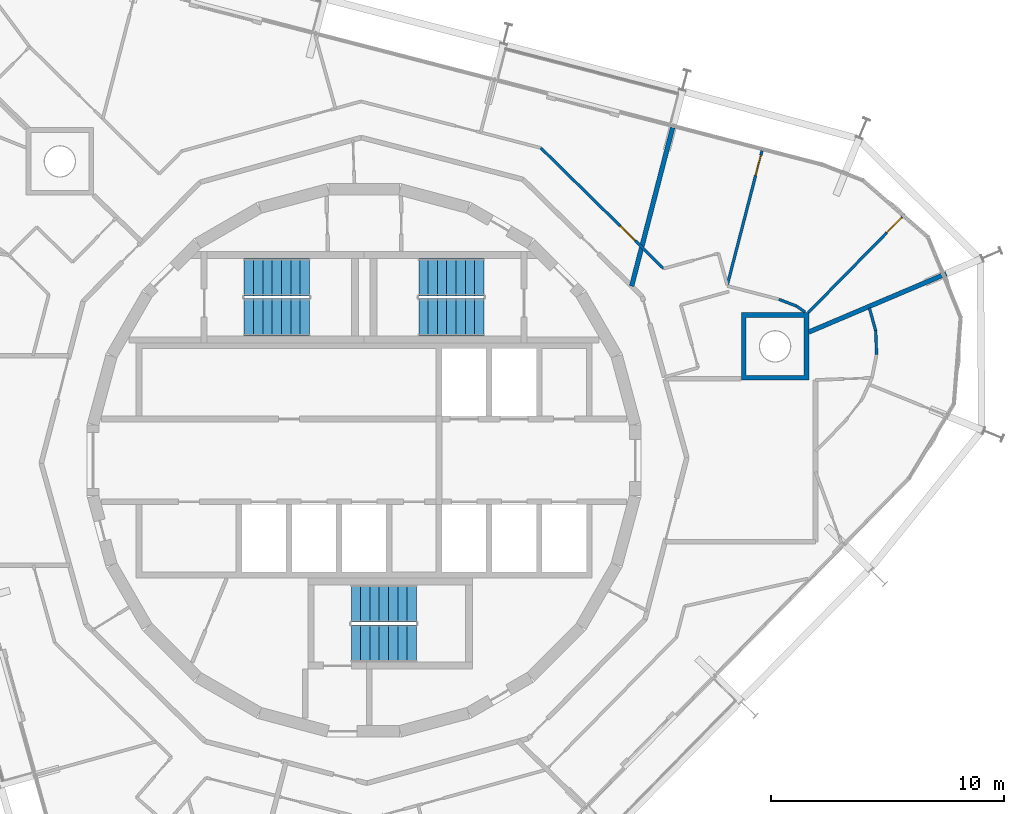
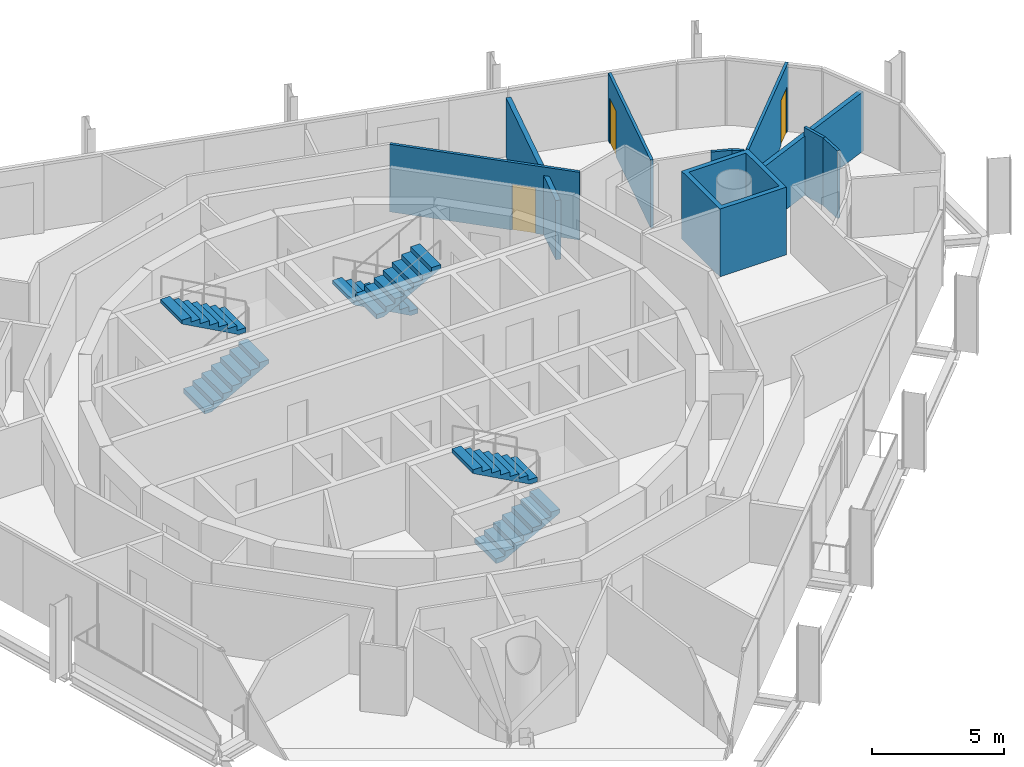
# One storey, part 14 of 15: 10 walls, 6 stair flights, 3 doors, 3 openings, 3 elements without a shape of their own.
"""IFC4 building model written with IfcOpenShell, lengths in metres."""

from ifc_helpers import new_model, si_unit, direction, frame, frame_2d, origin, place, context, subcontext, project, spatial, polyline, rectangle, outline, extrude, material, layer, layer_set, type_object, element, fill, aggregate, save


model = new_model("IFC4")

# Units and contexts
model_context = context("Model", 3, precision=1e-05, world=origin(), true_north=direction((0.0, 1.0)))
body_context = subcontext(model_context, "Body", "Model", "MODEL_VIEW")
ifc_project = project(units=[si_unit("LENGTHUNIT", "METRE"), si_unit("AREAUNIT", "SQUARE_METRE"), si_unit("VOLUMEUNIT", "CUBIC_METRE"), si_unit("PLANEANGLEUNIT", "RADIAN"), si_unit("MASSUNIT", "GRAM", prefix="KILO")], contexts=[model_context])

# Site, building, storey
site_placement = place(None, origin())
site = spatial("IfcSite", under=ifc_project, at=site_placement, CompositionType="ELEMENT")
building_placement = place(site_placement, origin())
building = spatial("IfcBuilding", under=site, at=building_placement, Name="Spindle Arch Residences", CompositionType="ELEMENT")
storey_placement = place(building_placement, frame((0.0, 0.0, 308.699951171875)))
storey = spatial("IfcBuildingStorey", under=building, at=storey_placement, Name="L79", CompositionType="ELEMENT", Elevation=308.699951171875)

# Wall, opening, door
ifc_material_1 = material(Name="Plasterboard on steel studs", Category="steel")
ifc_layer_1 = layer(ifc_material_1, 0.1201171875)
ifc_layer_set_1 = layer_set([ifc_layer_1], Name="Flat partition 120")
wall_type_1 = type_object("IfcWallType", Name="Flat partition 120", PredefinedType="PARTITIONING", material=ifc_layer_set_1)
wall_1_placement = place(storey_placement, frame((12.87255859375, 8.240478515625, 0.0), z_axis=(0.0, 0.0, 1.0), x_axis=(-0.713251042219, 0.700908660792, 0.0)))
wall_1 = element("IfcWall", 1, at=wall_1_placement, inside=storey, type_object=wall_type_1, Name="Flat partition R8B1-W035", PredefinedType="PARTITIONING", context=body_context, shape_type="SweptSolid", body=[
    extrude(rectangle(XDim=7.39794921875, YDim=0.1201171875, at=frame_2d((3.698974609375, 0.0))), origin(), (0.0, 0.0, 1.0), 3.1201171875),
])
opening_1_placement = place(wall_1_placement, frame((1.71826171875, 0.0, 0.0)))
opening_1 = element("IfcOpeningElement", 2, at=opening_1_placement, cuts=wall_1, Name="Opening R8B1-ID04", PredefinedType="OPENING", context=body_context, shape_type="SweptSolid", body=[
    extrude(rectangle(XDim=0.89990234375, YDim=2.10009765625, at=frame_2d((0.449951171875, 1.050048828125))), frame((0.0, 0.070068359375, 0.0), z_axis=(0.0, -1.0, 0.0), x_axis=(1.0, 0.0, 0.0)), (0.0, 0.0, 1.0), 0.14013671875),
])
ifc_material_2 = material(Name="Timber door set", Category="wood")
door_type = type_object("IfcDoorType", Name="Room door 900x2100", OperationType="NOTDEFINED", PredefinedType="DOOR", material=ifc_material_2)
door_1_placement = place(opening_1_placement, origin())
door_1 = element("IfcDoor", 3, at=door_1_placement, inside=storey, type_object=door_type, Name="Room door R8B1-ID04", OperationType="SINGLE_SWING_LEFT", OverallHeight=2.10009765625, OverallWidth=0.89990234375, PredefinedType="DOOR", context=body_context, shape_type="SweptSolid", body=[
    extrude(rectangle(XDim=0.89990234375, YDim=2.10009765625, at=frame_2d((0.449951171875, 1.050048828125))), frame((0.0, 0.02490234375, 0.0), z_axis=(0.0, -1.0, 0.0), x_axis=(1.0, 0.0, 0.0)), (0.0, 0.0, 1.0), 0.050048828125),
])
fill(opening_1, door_1)

wall_2_placement = place(storey_placement, frame((23.240478515625, 10.576416015625, 0.0), z_axis=(0.0, 0.0, 1.0), x_axis=(-0.700776156398, -0.713381229515, 0.0)))
wall_2 = element("IfcWall", 4, at=wall_2_placement, inside=storey, type_object=wall_type_1, Name="Flat partition R8B1-W036", PredefinedType="PARTITIONING", context=body_context, shape_type="SweptSolid", body=[
    extrude(rectangle(XDim=5.9267578125, YDim=0.1201171875, at=frame_2d((2.96337890625, 0.0))), origin(), (0.0, 0.0, 1.0), 3.1201171875),
])
opening_2_placement = place(wall_2_placement, frame((0.199951171875, 0.0, 0.0)))
opening_2 = element("IfcOpeningElement", 5, at=opening_2_placement, cuts=wall_2, Name="Opening R8B1-ID03", PredefinedType="OPENING", context=body_context, shape_type="SweptSolid", body=[
    extrude(rectangle(XDim=0.89990234375, YDim=2.10009765625, at=frame_2d((0.449951171875, 1.050048828125))), frame((0.0, 0.070068359375, 0.0), z_axis=(0.0, -1.0, 0.0), x_axis=(1.0, 0.0, 0.0)), (0.0, 0.0, 1.0), 0.14013671875),
])
door_2_placement = place(opening_2_placement, origin())
door_2 = element("IfcDoor", 6, at=door_2_placement, inside=storey, type_object=door_type, Name="Room door R8B1-ID03", OperationType="SINGLE_SWING_LEFT", OverallHeight=2.10009765625, OverallWidth=0.89990234375, PredefinedType="DOOR", context=body_context, shape_type="SweptSolid", body=[
    extrude(rectangle(XDim=0.89990234375, YDim=2.10009765625, at=frame_2d((0.449951171875, 1.050048828125))), frame((0.0, 0.02490234375, 0.0), z_axis=(0.0, -1.0, 0.0), x_axis=(1.0, 0.0, 0.0)), (0.0, 0.0, 1.0), 0.050048828125),
])
fill(opening_2, door_2)

# Walls
wall_3_placement = place(storey_placement, frame((18.9521484375, 6.373291015625, 0.0), z_axis=(0.0, 0.0, 1.0), x_axis=(-0.82412024189, 0.566414889377, 0.0)))
element("IfcWall", 7, at=wall_3_placement, inside=storey, type_object=wall_type_1, Name="Flat partition R8B1-W037", PredefinedType="PARTITIONING", context=body_context, shape_type="SweptSolid", body=[
    extrude(rectangle(XDim=0.454833984375, YDim=0.1201171875, at=frame_2d((0.2275390625, 0.0))), origin(), (0.0, 0.0, 1.0), 3.1201171875),
])
wall_4_placement = place(storey_placement, frame((18.577392578125, 6.630859375, 0.0), z_axis=(0.0, 0.0, 1.0), x_axis=(-0.932531937323, 0.361087504455, 0.0)))
element("IfcWall", 8, at=wall_4_placement, inside=storey, type_object=wall_type_1, Name="Flat partition R8B1-W038", PredefinedType="PARTITIONING", context=body_context, shape_type="SweptSolid", body=[
    extrude(rectangle(XDim=0.806640625, YDim=0.1201171875, at=frame_2d((0.4033203125, 0.0))), origin(), (0.0, 0.0, 1.0), 3.1201171875),
])

# Wall, opening, door
wall_5_placement = place(storey_placement, frame((17.1015625, 13.306640625, 0.0), z_axis=(0.0, 0.0, 1.0), x_axis=(-0.250374225748, -0.968149134731, 0.0)))
wall_5 = element("IfcWall", 9, at=wall_5_placement, inside=storey, type_object=wall_type_1, Name="Flat partition R8B1-W040", PredefinedType="PARTITIONING", context=body_context, shape_type="SweptSolid", body=[
    extrude(rectangle(XDim=5.966552734375, YDim=0.1201171875, at=frame_2d((2.9833984375, 0.0))), origin(), (0.0, 0.0, 1.0), 3.1201171875),
])
opening_3_placement = place(wall_5_placement, frame((0.199951171875, 0.0, 0.0)))
opening_3 = element("IfcOpeningElement", 10, at=opening_3_placement, cuts=wall_5, Name="Opening R8B1-ID02", PredefinedType="OPENING", context=body_context, shape_type="SweptSolid", body=[
    extrude(rectangle(XDim=0.89990234375, YDim=2.10009765625, at=frame_2d((0.449951171875, 1.050048828125))), frame((0.0, 0.070068359375, 0.0), z_axis=(0.0, -1.0, 0.0), x_axis=(1.0, 0.0, 0.0)), (0.0, 0.0, 1.0), 0.14013671875),
])
door_3_placement = place(opening_3_placement, origin())
door_3 = element("IfcDoor", 11, at=door_3_placement, inside=storey, type_object=door_type, Name="Room door R8B1-ID02", OperationType="SINGLE_SWING_LEFT", OverallHeight=2.10009765625, OverallWidth=0.89990234375, PredefinedType="DOOR", context=body_context, shape_type="SweptSolid", body=[
    extrude(rectangle(XDim=0.89990234375, YDim=2.10009765625, at=frame_2d((0.449951171875, 1.050048828125))), frame((0.0, 0.02490234375, 0.0), z_axis=(0.0, -1.0, 0.0), x_axis=(1.0, 0.0, 0.0)), (0.0, 0.0, 1.0), 0.050048828125),
])
fill(opening_3, door_3)

# Walls
for number, where, z_axis, x_axis, name in (
    (12, (21.714599609375, 6.549072265625, 0.0), (0.0, 0.0, 1.0), (0.267222438577, -0.963634872927, 0.0), "Flat partition R8B1-W084"),
    (13, (21.986083984375, 5.570068359375, 0.0), (0.0, 0.0, 1.0), (0.037971633756, -0.999278817463, 0.0), "Flat partition R8B1-W085"),
):
    element("IfcWall", number, at=place(storey_placement, frame(where, z_axis=z_axis, x_axis=x_axis)), inside=storey, type_object=wall_type_1, Name=name, PredefinedType="PARTITIONING", context=body_context, shape_type="SweptSolid", body=[
        extrude(rectangle(XDim=1.015869140625, YDim=0.1201171875, at=frame_2d((0.5078125, 0.0))), origin(), (0.0, 0.0, 1.0), 3.1201171875),
    ])
ifc_material_3 = material(Name="Calcium silicate block, plastered")
ifc_layer_2 = layer(ifc_material_3, 0.199951171875)
ifc_layer_set_2 = layer_set([ifc_layer_2], Name="Flat party wall 200 under beam 2730")
wall_type_2 = type_object("IfcWallType", Name="Flat party wall 200 under beam 2730", PredefinedType="STANDARD", material=ifc_layer_set_2)
wall_6_placement = place(storey_placement, frame((13.260498046875, 14.300048828125, 0.0), z_axis=(0.0, 0.0, 1.0), x_axis=(-0.250397400042, -0.968143141303, 0.0)))
element("IfcWall", 14, at=wall_6_placement, inside=storey, type_object=wall_type_2, Name="Flat party wall R8B1-W022", PredefinedType="STANDARD", context=body_context, shape_type="SweptSolid", body=[
    extrude(rectangle(XDim=7.03662109375, YDim=0.199951171875, at=frame_2d((3.518310546875, 0.0))), origin(), (0.0, 0.0, 1.0), 2.72998046875),
])
wall_7_placement = place(storey_placement, frame((19.112548828125, 5.513916015625, 0.0), z_axis=(0.0, 0.0, 1.0), x_axis=(0.920500452946, 0.390741495269, 0.0)))
element("IfcWall", 15, at=wall_7_placement, inside=storey, type_object=wall_type_2, Name="Flat party wall R8B1-W023", PredefinedType="STANDARD", context=body_context, shape_type="SweptSolid", body=[
    extrude(rectangle(XDim=6.411865234375, YDim=0.199951171875, at=frame_2d((3.2060546875, 0.0))), origin(), (0.0, 0.0, 1.0), 2.72998046875),
])
ifc_material_4 = material(Name="Calcium silicate block, plastered")
ifc_layer_3 = layer(ifc_material_4, 0.199951171875)
ifc_layer_set_3 = layer_set([ifc_layer_3], Name="Mega-column casing wall 200")
wall_type_3 = type_object("IfcWallType", Name="Mega-column casing wall 200", PredefinedType="STANDARD", material=ifc_layer_set_3)
wall_8_placement = place(storey_placement, origin())
element("IfcWall", 16, at=wall_8_placement, inside=storey, type_object=wall_type_3, Name="Mega-column casing wall R8B1-WC01", PredefinedType="STANDARD", context=body_context, shape_type="SweptSolid", body=[
    extrude(outline(polyline([(19.112548828125, 6.348388671875), (19.112548828125, 3.4482421875), (16.212646484375, 3.4482421875), (16.212646484375, 6.348388671875), (19.112548828125, 6.348388671875)]), holes=[polyline([(16.41259765625, 3.648193359375), (18.91259765625, 3.648193359375), (18.91259765625, 6.148193359375), (16.41259765625, 6.148193359375), (16.41259765625, 3.648193359375)])]), origin(), (0.0, 0.0, 1.0), 3.1201171875),
])

# Stair, stair flights
ifc_material_5 = material(Name="Concrete C50/60", Category="concrete")
stair_type = type_object("IfcStairType", Name="Exit stair 16 risers", PredefinedType="HALF_TURN_STAIR", material=ifc_material_5)
stair_1_placement = place(storey_placement, origin())
stair_1 = element("IfcStair", 17, at=stair_1_placement, inside=storey, type_object=stair_type, Name="L79 Exit stair ST1", PredefinedType="HALF_TURN_STAIR")
ifc_material_6 = material(Name="Concrete C50/60", Category="concrete")
stair_flight_type = type_object("IfcStairFlightType", Name="Exit stair flight", PredefinedType="STRAIGHT", material=ifc_material_6)
stair_flight_1_placement = place(storey_placement, frame((5.14990234375, 7.8701171875, 0.0), z_axis=(0.0, 0.0, 1.0), x_axis=(-1.0, 0.0, 0.0)))
stair_flight_1 = element("IfcStairFlight", 18, at=stair_flight_1_placement, type_object=stair_flight_type, Name="ST1 flight 1", NumberOfRisers=8, NumberOfTreads=7, PredefinedType="STRAIGHT", RiserHeight=0.21875, TreadLength=0.4, context=body_context, shape_type="SweptSolid", body=[
    extrude(outline(polyline([(0.0, 0.0), (0.0, 0.21875), (0.39990234375, 0.21875), (0.39990234375, 0.4375), (0.800048828125, 0.4375), (0.800048828125, 0.65625), (1.199951171875, 0.65625), (1.199951171875, 0.875), (1.60009765625, 0.875), (1.60009765625, 1.09375), (2.0, 1.09375), (2.0, 1.3125), (2.39990234375, 1.3125), (2.39990234375, 1.53125), (2.800048828125, 1.53125), (2.800048828125, 1.75), (2.800048828125, 1.3603515625), (0.3125, 0.0), (0.0, 0.0)])), frame((0.0, 0.800048828125, 0.0), z_axis=(0.0, -1.0, 0.0), x_axis=(1.0, 0.0, 0.0)), (0.0, 0.0, 1.0), 1.60009765625),
])
stair_flight_2_placement = place(storey_placement, frame((2.35009765625, 6.14990234375, 1.75), z_axis=(0.0, 0.0, 1.0), x_axis=(1.0, 0.0, 0.0)))
stair_flight_2 = element("IfcStairFlight", 19, at=stair_flight_2_placement, type_object=stair_flight_type, Name="ST1 flight 2", NumberOfRisers=8, NumberOfTreads=7, PredefinedType="STRAIGHT", RiserHeight=0.21875, TreadLength=0.4, context=body_context, shape_type="SweptSolid", body=[
    extrude(outline(polyline([(0.0, 0.0), (0.0, 0.21875), (0.39990234375, 0.21875), (0.39990234375, 0.4375), (0.800048828125, 0.4375), (0.800048828125, 0.65625), (1.199951171875, 0.65625), (1.199951171875, 0.875), (1.60009765625, 0.875), (1.60009765625, 1.09375), (2.0, 1.09375), (2.0, 1.3125), (2.39990234375, 1.3125), (2.39990234375, 1.53125), (2.800048828125, 1.53125), (2.800048828125, 1.75), (2.800048828125, 1.3603515625), (0.3125, 0.0), (0.0, 0.0)])), frame((0.0, 0.800048828125, 0.0), z_axis=(0.0, -1.0, 0.0), x_axis=(1.0, 0.0, 0.0)), (0.0, 0.0, 1.0), 1.60009765625),
])
aggregate(stair_1, [stair_flight_1, stair_flight_2])

stair_2_placement = place(storey_placement, origin())
stair_2 = element("IfcStair", 20, at=stair_2_placement, inside=storey, type_object=stair_type, Name="L79 Exit stair ST2", PredefinedType="HALF_TURN_STAIR")
stair_flight_3_placement = place(storey_placement, frame((-5.14990234375, 6.14990234375, 0.0), z_axis=(0.0, 0.0, 1.0), x_axis=(1.0, 0.0, 0.0)))
stair_flight_3 = element("IfcStairFlight", 21, at=stair_flight_3_placement, type_object=stair_flight_type, Name="ST2 flight 1", NumberOfRisers=8, NumberOfTreads=7, PredefinedType="STRAIGHT", RiserHeight=0.21875, TreadLength=0.4, context=body_context, shape_type="SweptSolid", body=[
    extrude(outline(polyline([(0.0, 0.0), (0.0, 0.21875), (0.39990234375, 0.21875), (0.39990234375, 0.4375), (0.800048828125, 0.4375), (0.800048828125, 0.65625), (1.199951171875, 0.65625), (1.199951171875, 0.875), (1.60009765625, 0.875), (1.60009765625, 1.09375), (2.0, 1.09375), (2.0, 1.3125), (2.39990234375, 1.3125), (2.39990234375, 1.53125), (2.800048828125, 1.53125), (2.800048828125, 1.75), (2.800048828125, 1.3603515625), (0.3125, 0.0), (0.0, 0.0)])), frame((0.0, 0.800048828125, 0.0), z_axis=(0.0, -1.0, 0.0), x_axis=(1.0, 0.0, 0.0)), (0.0, 0.0, 1.0), 1.60009765625),
])
stair_flight_4_placement = place(storey_placement, frame((-2.35009765625, 7.8701171875, 1.75), z_axis=(0.0, 0.0, 1.0), x_axis=(-1.0, 0.0, 0.0)))
stair_flight_4 = element("IfcStairFlight", 22, at=stair_flight_4_placement, type_object=stair_flight_type, Name="ST2 flight 2", NumberOfRisers=8, NumberOfTreads=7, PredefinedType="STRAIGHT", RiserHeight=0.21875, TreadLength=0.4, context=body_context, shape_type="SweptSolid", body=[
    extrude(outline(polyline([(0.0, 0.0), (0.0, 0.21875), (0.39990234375, 0.21875), (0.39990234375, 0.4375), (0.800048828125, 0.4375), (0.800048828125, 0.65625), (1.199951171875, 0.65625), (1.199951171875, 0.875), (1.60009765625, 0.875), (1.60009765625, 1.09375), (2.0, 1.09375), (2.0, 1.3125), (2.39990234375, 1.3125), (2.39990234375, 1.53125), (2.800048828125, 1.53125), (2.800048828125, 1.75), (2.800048828125, 1.3603515625), (0.3125, 0.0), (0.0, 0.0)])), frame((0.0, 0.800048828125, 0.0), z_axis=(0.0, -1.0, 0.0), x_axis=(1.0, 0.0, 0.0)), (0.0, 0.0, 1.0), 1.60009765625),
])
aggregate(stair_2, [stair_flight_3, stair_flight_4])

stair_3_placement = place(storey_placement, origin())
stair_3 = element("IfcStair", 23, at=stair_3_placement, inside=storey, type_object=stair_type, Name="L79 Exit stair ST3", PredefinedType="HALF_TURN_STAIR")
stair_flight_5_placement = place(storey_placement, frame((-0.550048828125, -7.8701171875, 0.0), z_axis=(0.0, 0.0, 1.0), x_axis=(1.0, 0.0, 0.0)))
stair_flight_5 = element("IfcStairFlight", 24, at=stair_flight_5_placement, type_object=stair_flight_type, Name="ST3 flight 1", NumberOfRisers=8, NumberOfTreads=7, PredefinedType="STRAIGHT", RiserHeight=0.21875, TreadLength=0.4, context=body_context, shape_type="SweptSolid", body=[
    extrude(outline(polyline([(0.0, 0.0), (0.0, 0.21875), (0.39990234375, 0.21875), (0.39990234375, 0.4375), (0.800048828125, 0.4375), (0.800048828125, 0.65625), (1.199951171875, 0.65625), (1.199951171875, 0.875), (1.60009765625, 0.875), (1.60009765625, 1.09375), (2.0, 1.09375), (2.0, 1.3125), (2.39990234375, 1.3125), (2.39990234375, 1.53125), (2.800048828125, 1.53125), (2.800048828125, 1.75), (2.800048828125, 1.3603515625), (0.3125, 0.0), (0.0, 0.0)])), frame((0.0, 0.800048828125, 0.0), z_axis=(0.0, -1.0, 0.0), x_axis=(1.0, 0.0, 0.0)), (0.0, 0.0, 1.0), 1.60009765625),
])
stair_flight_6_placement = place(storey_placement, frame((2.25, -6.14990234375, 1.75), z_axis=(0.0, 0.0, 1.0), x_axis=(-1.0, 0.0, 0.0)))
stair_flight_6 = element("IfcStairFlight", 25, at=stair_flight_6_placement, type_object=stair_flight_type, Name="ST3 flight 2", NumberOfRisers=8, NumberOfTreads=7, PredefinedType="STRAIGHT", RiserHeight=0.21875, TreadLength=0.4, context=body_context, shape_type="SweptSolid", body=[
    extrude(outline(polyline([(0.0, 0.0), (0.0, 0.21875), (0.39990234375, 0.21875), (0.39990234375, 0.4375), (0.800048828125, 0.4375), (0.800048828125, 0.65625), (1.199951171875, 0.65625), (1.199951171875, 0.875), (1.60009765625, 0.875), (1.60009765625, 1.09375), (2.0, 1.09375), (2.0, 1.3125), (2.39990234375, 1.3125), (2.39990234375, 1.53125), (2.800048828125, 1.53125), (2.800048828125, 1.75), (2.800048828125, 1.3603515625), (0.3125, 0.0), (0.0, 0.0)])), frame((0.0, 0.800048828125, 0.0), z_axis=(0.0, -1.0, 0.0), x_axis=(1.0, 0.0, 0.0)), (0.0, 0.0, 1.0), 1.60009765625),
])
aggregate(stair_3, [stair_flight_5, stair_flight_6])

save(model, "model.ifc")
